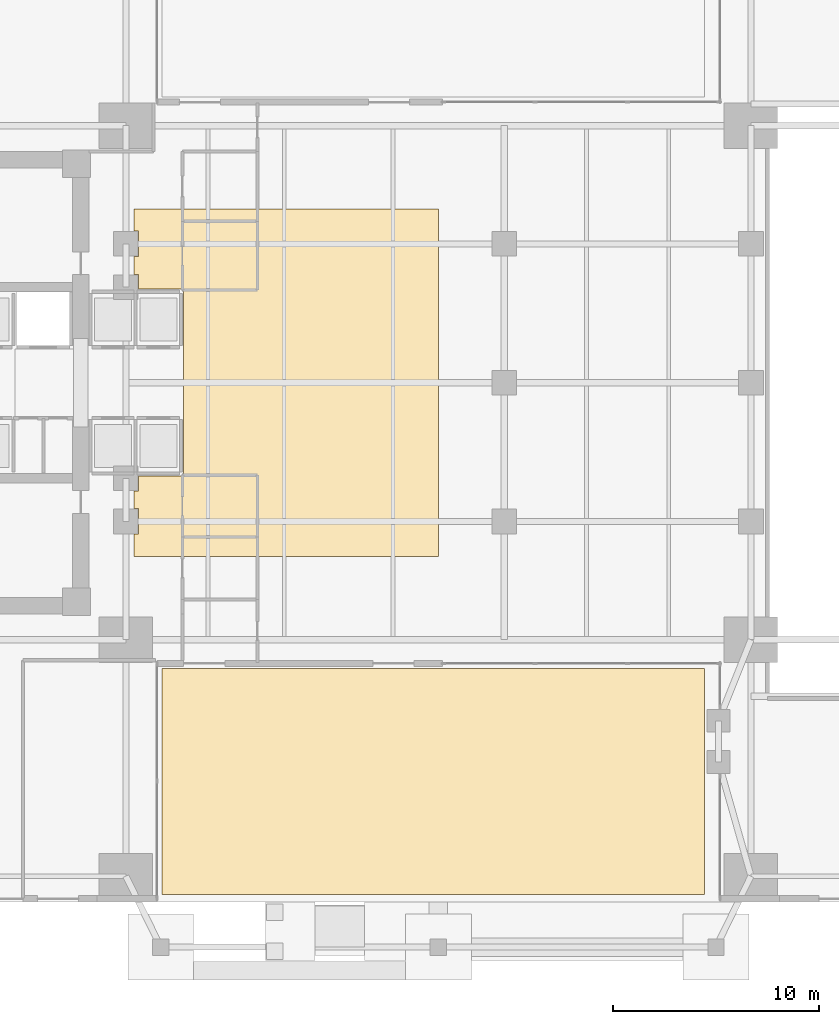
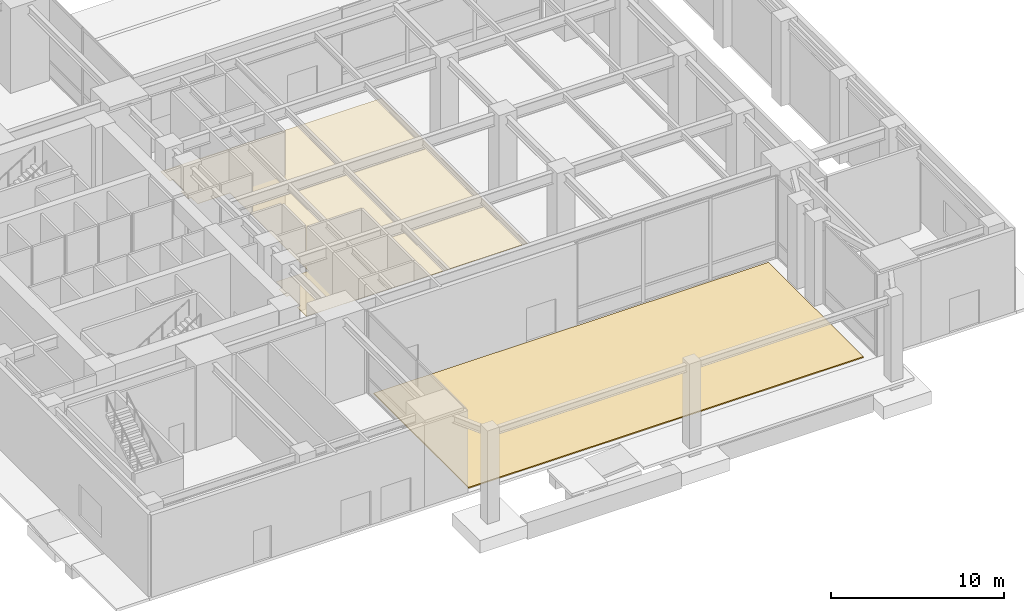
# One storey, part 14 of 17: 2 coverings.
"""IFC4 building model written with IfcOpenShell, lengths in metres."""

import ifcopenshell
import ifcopenshell.guid

model = None  # the IFC model being written
_history = None  # IfcOwnerHistory: only IFC2X3 demands one
_inside = {}  # id of a spatial element -> (the spatial element, [elements in it])
_under = {}  # id of a project, library or spatial element -> (it, [spatial elements below it])
_declared = {}  # id of a project -> (the project, [libraries it declares])
_typed = {}  # id of a type object -> (the type object, [elements of that type])
_made_of = {}  # id of a material, layer set ... -> (it, [elements and type objects made of it])


def new_model(schema):
    """Start an empty IFC model of exactly this schema.

    Asked for "IFC4X3", IfcOpenShell would pick the latest addendum, in which some entities
    have other attributes; the version numbers below select the first issue.
    IFC2X3 requires an IfcOwnerHistory on every rooted entity: one is made here for all.
    """
    global model, _history
    if schema == "IFC4X3":
        model = ifcopenshell.file(schema_version=(4, 3, 0, 0))
    else:
        model = ifcopenshell.file(schema=schema)
    _inside.clear()
    _under.clear()
    _declared.clear()
    _typed.clear()
    _made_of.clear()
    _history = None
    if model.schema == "IFC2X3":
        org = make("IfcOrganization", Name="unknown")
        user = make(
            "IfcPersonAndOrganization",
            ThePerson=make("IfcPerson", FamilyName="unknown"),
            TheOrganization=org,
        )
        app = make(
            "IfcApplication",
            ApplicationDeveloper=org,
            Version="unknown",
            ApplicationFullName="unknown",
            ApplicationIdentifier="unknown",
        )
        _history = make(
            "IfcOwnerHistory",
            OwningUser=user,
            OwningApplication=app,
            ChangeAction="ADDED",
            CreationDate=0,
        )
    return model


def make(cls, **values):
    """One entity of the class cls with the attributes given. An attribute that is None is left unset."""
    return model.create_entity(
        cls, **{name: value for name, value in values.items() if value is not None}
    )


def rooted(cls, **values):
    """An entity with a GlobalId (a new one), such as an element, a storey or a relation."""
    return make(cls, GlobalId=ifcopenshell.guid.new(), OwnerHistory=_history, **values)


def si_unit(unit_type, name, prefix=None):
    """IfcSIUnit, for example si_unit("LENGTHUNIT", "METRE", prefix="MILLI")."""
    return make("IfcSIUnit", UnitType=unit_type, Prefix=prefix, Name=name)


def assignment(units):
    """IfcUnitAssignment: the units of a project."""
    return None if units is None else make("IfcUnitAssignment", Units=units)


def point(xyz):
    """IfcCartesianPoint."""
    return None if xyz is None else make("IfcCartesianPoint", Coordinates=xyz)


def direction(xyz):
    """IfcDirection."""
    return None if xyz is None else make("IfcDirection", DirectionRatios=xyz)


def frame(location, z_axis=None, x_axis=None):
    """IfcAxis2Placement3D, a coordinate frame: its origin and axes. An axis left out is left unset."""
    return make(
        "IfcAxis2Placement3D",
        Location=point(location),
        Axis=direction(z_axis),
        RefDirection=direction(x_axis),
    )


def origin():
    """The frame at (0, 0, 0) with its axes left unset."""
    return frame((0.0, 0.0, 0.0))


def place(relative_to, where):
    """IfcLocalPlacement: puts the frame where relative to a parent placement (None: the world)."""
    return make(
        "IfcLocalPlacement", PlacementRelTo=relative_to, RelativePlacement=where
    )


def context(
    kind, dimensions, precision=None, world=None, true_north=None, identifier=None
):
    """IfcGeometricRepresentationContext, for example the 3D "Model" context."""
    return make(
        "IfcGeometricRepresentationContext",
        ContextIdentifier=identifier,
        ContextType=kind,
        CoordinateSpaceDimension=dimensions,
        Precision=precision,
        WorldCoordinateSystem=world,
        TrueNorth=true_north,
    )


def subcontext(parent, identifier, kind, view, scale=None):
    """IfcGeometricRepresentationSubContext, for example "Body" below "Model"."""
    return make(
        "IfcGeometricRepresentationSubContext",
        ContextIdentifier=identifier,
        ContextType=kind,
        ParentContext=parent,
        TargetScale=scale,
        TargetView=view,
    )


def project(units=None, contexts=None):
    """IfcProject with its units and contexts."""
    return rooted(
        "IfcProject",
        Name="project",
        RepresentationContexts=contexts,
        UnitsInContext=assignment(units),
    )


def spatial(cls, under=None, at=None, **own):
    """A site, building, storey or space (cls), placed at a placement, below another one or the project."""
    s = rooted(cls, ObjectPlacement=at, **own)
    if under is not None:
        _under.setdefault(under.id(), (under, []))[1].append(s)
    return s


def polyline(points):
    """IfcPolyline through the points."""
    return make("IfcPolyline", Points=[point(p) for p in points])


def outline(outer, holes=None, kind="AREA"):
    """IfcArbitraryClosedProfileDef: a profile drawn as a closed curve; with holes, ...WithVoids."""
    if holes is None:
        return make("IfcArbitraryClosedProfileDef", ProfileType=kind, OuterCurve=outer)
    return make(
        "IfcArbitraryProfileDefWithVoids",
        ProfileType=kind,
        OuterCurve=outer,
        InnerCurves=holes,
    )


def extrude(swept, where, along, depth):
    """IfcExtrudedAreaSolid: the profile swept, set in the frame where, extruded along a direction by depth."""
    return make(
        "IfcExtrudedAreaSolid",
        SweptArea=swept,
        Position=where,
        ExtrudedDirection=direction(along),
        Depth=depth,
    )


def shape(context_of_items, identifier, shape_type, items):
    """IfcShapeRepresentation: the items that make up one representation, for example the "Body"."""
    return make(
        "IfcShapeRepresentation",
        ContextOfItems=context_of_items,
        RepresentationIdentifier=identifier,
        RepresentationType=shape_type,
        Items=items,
    )


def material(Name=None, Category=None):
    """IfcMaterial."""
    return make("IfcMaterial", Name=Name, Category=Category)


def layer(
    of_material, thickness, ventilated=None, Name=None, Category=None, Priority=None
):
    """IfcMaterialLayer: one layer of a wall or slab, of a material (None: an air gap)."""
    return make(
        "IfcMaterialLayer",
        Material=of_material,
        LayerThickness=thickness,
        IsVentilated=ventilated,
        Name=Name,
        Category=Category,
        Priority=Priority,
    )


def layer_set(layers, Name=None):
    """IfcMaterialLayerSet."""
    return make("IfcMaterialLayerSet", MaterialLayers=layers, LayerSetName=Name)


def made_of(thing, what):
    """Note that an element or type object is made of a material, layer set ...; save() writes the relation."""
    if what is not None:
        _made_of.setdefault(what.id(), (what, []))[1].append(thing)
    return thing


def type_object(cls, material=None, **own):
    """A type object (cls), such as IfcWallType, which elements share."""
    return made_of(rooted(cls, **own), material)


def element(
    cls,
    number,
    at=None,
    inside=None,
    cuts=None,
    type_object=None,
    material=None,
    context=None,
    identifier="Body",
    shape_type=None,
    held_by="IfcProductDefinitionShape",
    body=None,
    shapes=None,
    **own,
):
    """One element of the class cls, such as IfcWall. Its Tag is "e" and its number.

    at: its placement. inside: the storey or other place that contains it. cuts: it is an
    opening in that element (IfcRelVoidsElement). A single representation is given by context,
    identifier, shape_type and body (its items); several are given by shapes. held_by: the class
    of the entity that holds the representations. save() writes the other relations.
    """
    e = rooted(cls, Tag="e%d" % number, ObjectPlacement=at, **own)
    if body is not None:
        shapes = [shape(context, identifier, shape_type, body)]
    if shapes is not None:
        e.Representation = make(held_by, Representations=shapes)
    if inside is not None:
        _inside.setdefault(inside.id(), (inside, []))[1].append(e)
    if cuts is not None:
        rooted(
            "IfcRelVoidsElement", RelatingBuildingElement=cuts, RelatedOpeningElement=e
        )
    if type_object is not None:
        _typed.setdefault(type_object.id(), (type_object, []))[1].append(e)
    return made_of(e, material)


def aggregate(whole, parts):
    """IfcRelAggregates: a whole, such as a stair, and the parts it consists of."""
    return rooted("IfcRelAggregates", RelatingObject=whole, RelatedObjects=parts)


def save(model, path):
    """Write the relations noted so far, then the file.

    IfcRelAggregates (storeys below a building ...), IfcRelContainedInSpatialStructure (elements
    in a storey), IfcRelDefinesByType, IfcRelAssociatesMaterial and IfcRelDeclares: one each for
    every whole, place, type object, material and project.
    """
    for whole, parts in _under.values():
        aggregate(whole, parts)
    for where, things in _inside.values():
        rooted(
            "IfcRelContainedInSpatialStructure",
            RelatedElements=things,
            RelatingStructure=where,
        )
    for kind, things in _typed.values():
        rooted("IfcRelDefinesByType", RelatedObjects=things, RelatingType=kind)
    for what, things in _made_of.values():
        rooted("IfcRelAssociatesMaterial", RelatedObjects=things, RelatingMaterial=what)
    for by, libraries in _declared.values():
        rooted("IfcRelDeclares", RelatingContext=by, RelatedDefinitions=libraries)
    model.write(path)


model = new_model("IFC4")

# Units and contexts
model_context = context("Model", 3, precision=1e-05, world=origin(), true_north=direction((0.0, 1.0)))
body_context = subcontext(model_context, "Body", "Model", "MODEL_VIEW")
ifc_project = project(units=[si_unit("LENGTHUNIT", "METRE"), si_unit("AREAUNIT", "SQUARE_METRE"), si_unit("VOLUMEUNIT", "CUBIC_METRE"), si_unit("PLANEANGLEUNIT", "RADIAN"), si_unit("MASSUNIT", "GRAM", prefix="KILO")], contexts=[model_context])

# Site, building, storey
site_placement = place(None, origin())
site = spatial("IfcSite", under=ifc_project, at=site_placement, CompositionType="ELEMENT")
building_placement = place(site_placement, origin())
building = spatial("IfcBuilding", under=site, at=building_placement, Name="Kinhvarn Gate Tower", CompositionType="ELEMENT")
storey_placement = place(building_placement, origin())
storey = spatial("IfcBuildingStorey", under=building, at=storey_placement, Name="L00", CompositionType="ELEMENT", Elevation=0.0)

# Coverings
ifc_material_1 = material(Name="Mineral-fibre acoustic ceiling tile")
ifc_layer_1 = layer(ifc_material_1, 0.02001953125)
ifc_layer_set_1 = layer_set([ifc_layer_1], Name="Mineral-fibre acoustic ceiling tile")
covering_type_1 = type_object("IfcCoveringType", Name="COV-CEIL-20", PredefinedType="CEILING", material=ifc_layer_set_1)
covering_1_placement = place(storey_placement, frame((0.0, 0.0, 2.64990234375)))
element("IfcCovering", 1, at=covering_1_placement, inside=storey, type_object=covering_type_1, Name="Suspended Acoustic Ceiling Tile (L00-1)", PredefinedType="CEILING", context=body_context, shape_type="SweptSolid", body=[
    extrude(outline(polyline([(35.0, 33.699951171875), (35.0, 16.800048828125), (20.199951171875, 16.800048828125), (20.199951171875, 17.8798828125), (20.419921875, 17.8798828125), (20.419921875, 19.1201171875), (20.199951171875, 19.1201171875), (20.199951171875, 19.97998046875), (20.419921875, 19.97998046875), (20.419921875, 20.699951171875), (22.60009765625, 20.699951171875), (22.60009765625, 29.800048828125), (20.419921875, 29.800048828125), (20.419921875, 30.52001953125), (20.199951171875, 30.52001953125), (20.199951171875, 31.3798828125), (20.419921875, 31.3798828125), (20.419921875, 32.6201171875), (20.199951171875, 32.6201171875), (20.199951171875, 33.699951171875), (35.0, 33.699951171875)])), origin(), (0.0, 0.0, 1.0), 0.02001953125),
])
ifc_material_2 = material(Name="Insulated EPDM waterproof roof build-up")
ifc_layer_2 = layer(ifc_material_2, 0.080078125)
ifc_layer_set_2 = layer_set([ifc_layer_2], Name="Insulated EPDM waterproof roof build-up")
covering_type_2 = type_object("IfcCoveringType", Name="COV-ROOF-80", PredefinedType="ROOFING", material=ifc_layer_set_2)
covering_2_placement = place(storey_placement, origin())
element("IfcCovering", 2, at=covering_2_placement, inside=storey, type_object=covering_type_2, Name="Open Portal Vault Plaza Weatherproofing VAULT-S", PredefinedType="ROOFING", context=body_context, shape_type="SweptSolid", body=[
    extrude(outline(polyline([(21.550048828125, 0.35009765625), (47.949951171875, 0.35009765625), (47.949951171875, 11.35009765625), (21.550048828125, 11.35009765625), (21.550048828125, 0.35009765625)])), origin(), (0.0, 0.0, 1.0), 0.080078125),
])

save(model, "model.ifc")
